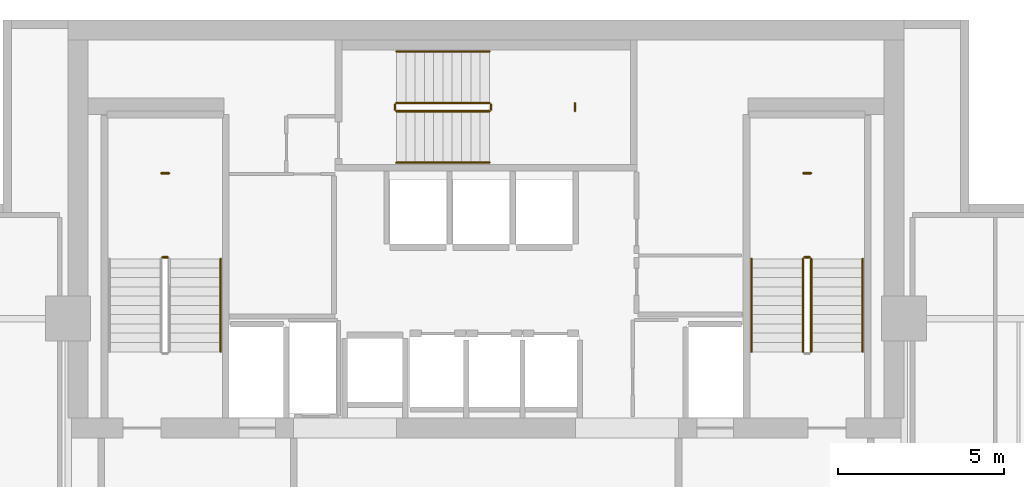
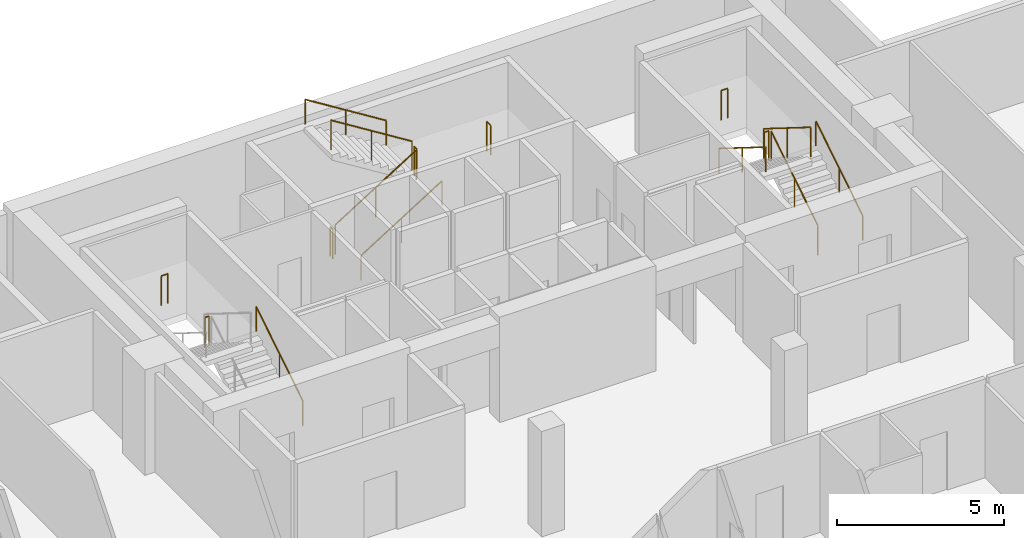
# One storey, part 24 of 24: 16 railings.
"""IFC4 building model written with IfcOpenShell, lengths in metres."""

import ifcopenshell
import ifcopenshell.guid

model = None  # the IFC model being written
_history = None  # IfcOwnerHistory: only IFC2X3 demands one
_inside = {}  # id of a spatial element -> (the spatial element, [elements in it])
_under = {}  # id of a project, library or spatial element -> (it, [spatial elements below it])
_declared = {}  # id of a project -> (the project, [libraries it declares])
_typed = {}  # id of a type object -> (the type object, [elements of that type])
_made_of = {}  # id of a material, layer set ... -> (it, [elements and type objects made of it])


def new_model(schema):
    """Start an empty IFC model of exactly this schema.

    Asked for "IFC4X3", IfcOpenShell would pick the latest addendum, in which some entities
    have other attributes; the version numbers below select the first issue.
    IFC2X3 requires an IfcOwnerHistory on every rooted entity: one is made here for all.
    """
    global model, _history
    if schema == "IFC4X3":
        model = ifcopenshell.file(schema_version=(4, 3, 0, 0))
    else:
        model = ifcopenshell.file(schema=schema)
    _inside.clear()
    _under.clear()
    _declared.clear()
    _typed.clear()
    _made_of.clear()
    _history = None
    if model.schema == "IFC2X3":
        org = make("IfcOrganization", Name="unknown")
        user = make(
            "IfcPersonAndOrganization",
            ThePerson=make("IfcPerson", FamilyName="unknown"),
            TheOrganization=org,
        )
        app = make(
            "IfcApplication",
            ApplicationDeveloper=org,
            Version="unknown",
            ApplicationFullName="unknown",
            ApplicationIdentifier="unknown",
        )
        _history = make(
            "IfcOwnerHistory",
            OwningUser=user,
            OwningApplication=app,
            ChangeAction="ADDED",
            CreationDate=0,
        )
    return model


def make(cls, **values):
    """One entity of the class cls with the attributes given. An attribute that is None is left unset."""
    return model.create_entity(
        cls, **{name: value for name, value in values.items() if value is not None}
    )


def rooted(cls, **values):
    """An entity with a GlobalId (a new one), such as an element, a storey or a relation."""
    return make(cls, GlobalId=ifcopenshell.guid.new(), OwnerHistory=_history, **values)


def si_unit(unit_type, name, prefix=None):
    """IfcSIUnit, for example si_unit("LENGTHUNIT", "METRE", prefix="MILLI")."""
    return make("IfcSIUnit", UnitType=unit_type, Prefix=prefix, Name=name)


def assignment(units):
    """IfcUnitAssignment: the units of a project."""
    return None if units is None else make("IfcUnitAssignment", Units=units)


def point(xyz):
    """IfcCartesianPoint."""
    return None if xyz is None else make("IfcCartesianPoint", Coordinates=xyz)


def direction(xyz):
    """IfcDirection."""
    return None if xyz is None else make("IfcDirection", DirectionRatios=xyz)


def frame(location, z_axis=None, x_axis=None):
    """IfcAxis2Placement3D, a coordinate frame: its origin and axes. An axis left out is left unset."""
    return make(
        "IfcAxis2Placement3D",
        Location=point(location),
        Axis=direction(z_axis),
        RefDirection=direction(x_axis),
    )


def frame_2d(location, x_axis=None):
    """IfcAxis2Placement2D, a coordinate frame in the plane: its origin and x axis."""
    return make(
        "IfcAxis2Placement2D", Location=point(location), RefDirection=direction(x_axis)
    )


def origin():
    """The frame at (0, 0, 0) with its axes left unset."""
    return frame((0.0, 0.0, 0.0))


def origin_2d():
    """The frame at (0, 0) in the plane with its x axis left unset."""
    return frame_2d((0.0, 0.0))


def place(relative_to, where):
    """IfcLocalPlacement: puts the frame where relative to a parent placement (None: the world)."""
    return make(
        "IfcLocalPlacement", PlacementRelTo=relative_to, RelativePlacement=where
    )


def context(
    kind, dimensions, precision=None, world=None, true_north=None, identifier=None
):
    """IfcGeometricRepresentationContext, for example the 3D "Model" context."""
    return make(
        "IfcGeometricRepresentationContext",
        ContextIdentifier=identifier,
        ContextType=kind,
        CoordinateSpaceDimension=dimensions,
        Precision=precision,
        WorldCoordinateSystem=world,
        TrueNorth=true_north,
    )


def subcontext(parent, identifier, kind, view, scale=None):
    """IfcGeometricRepresentationSubContext, for example "Body" below "Model"."""
    return make(
        "IfcGeometricRepresentationSubContext",
        ContextIdentifier=identifier,
        ContextType=kind,
        ParentContext=parent,
        TargetScale=scale,
        TargetView=view,
    )


def project(units=None, contexts=None):
    """IfcProject with its units and contexts."""
    return rooted(
        "IfcProject",
        Name="project",
        RepresentationContexts=contexts,
        UnitsInContext=assignment(units),
    )


def spatial(cls, under=None, at=None, **own):
    """A site, building, storey or space (cls), placed at a placement, below another one or the project."""
    s = rooted(cls, ObjectPlacement=at, **own)
    if under is not None:
        _under.setdefault(under.id(), (under, []))[1].append(s)
    return s


def profile(cls, at=None, kind="AREA", **sizes):
    """A parametric profile (cls). Its sizes go by their IFC names, for example OverallWidth=200.0."""
    return make(cls, ProfileType=kind, Position=at, **sizes)


def circle(**sizes):
    """IfcCircleProfileDef."""
    return profile("IfcCircleProfileDef", **sizes)


def extrude(swept, where, along, depth):
    """IfcExtrudedAreaSolid: the profile swept, set in the frame where, extruded along a direction by depth."""
    return make(
        "IfcExtrudedAreaSolid",
        SweptArea=swept,
        Position=where,
        ExtrudedDirection=direction(along),
        Depth=depth,
    )


def shape(context_of_items, identifier, shape_type, items):
    """IfcShapeRepresentation: the items that make up one representation, for example the "Body"."""
    return make(
        "IfcShapeRepresentation",
        ContextOfItems=context_of_items,
        RepresentationIdentifier=identifier,
        RepresentationType=shape_type,
        Items=items,
    )


def material(Name=None, Category=None):
    """IfcMaterial."""
    return make("IfcMaterial", Name=Name, Category=Category)


def made_of(thing, what):
    """Note that an element or type object is made of a material, layer set ...; save() writes the relation."""
    if what is not None:
        _made_of.setdefault(what.id(), (what, []))[1].append(thing)
    return thing


def type_object(cls, material=None, **own):
    """A type object (cls), such as IfcWallType, which elements share."""
    return made_of(rooted(cls, **own), material)


def element(
    cls,
    number,
    at=None,
    inside=None,
    cuts=None,
    type_object=None,
    material=None,
    context=None,
    identifier="Body",
    shape_type=None,
    held_by="IfcProductDefinitionShape",
    body=None,
    shapes=None,
    **own,
):
    """One element of the class cls, such as IfcWall. Its Tag is "e" and its number.

    at: its placement. inside: the storey or other place that contains it. cuts: it is an
    opening in that element (IfcRelVoidsElement). A single representation is given by context,
    identifier, shape_type and body (its items); several are given by shapes. held_by: the class
    of the entity that holds the representations. save() writes the other relations.
    """
    e = rooted(cls, Tag="e%d" % number, ObjectPlacement=at, **own)
    if body is not None:
        shapes = [shape(context, identifier, shape_type, body)]
    if shapes is not None:
        e.Representation = make(held_by, Representations=shapes)
    if inside is not None:
        _inside.setdefault(inside.id(), (inside, []))[1].append(e)
    if cuts is not None:
        rooted(
            "IfcRelVoidsElement", RelatingBuildingElement=cuts, RelatedOpeningElement=e
        )
    if type_object is not None:
        _typed.setdefault(type_object.id(), (type_object, []))[1].append(e)
    return made_of(e, material)


def aggregate(whole, parts):
    """IfcRelAggregates: a whole, such as a stair, and the parts it consists of."""
    return rooted("IfcRelAggregates", RelatingObject=whole, RelatedObjects=parts)


def save(model, path):
    """Write the relations noted so far, then the file.

    IfcRelAggregates (storeys below a building ...), IfcRelContainedInSpatialStructure (elements
    in a storey), IfcRelDefinesByType, IfcRelAssociatesMaterial and IfcRelDeclares: one each for
    every whole, place, type object, material and project.
    """
    for whole, parts in _under.values():
        aggregate(whole, parts)
    for where, things in _inside.values():
        rooted(
            "IfcRelContainedInSpatialStructure",
            RelatedElements=things,
            RelatingStructure=where,
        )
    for kind, things in _typed.values():
        rooted("IfcRelDefinesByType", RelatedObjects=things, RelatingType=kind)
    for what, things in _made_of.values():
        rooted("IfcRelAssociatesMaterial", RelatedObjects=things, RelatingMaterial=what)
    for by, libraries in _declared.values():
        rooted("IfcRelDeclares", RelatingContext=by, RelatedDefinitions=libraries)
    model.write(path)


model = new_model("IFC4")

# Units and contexts
model_context = context("Model", 3, precision=1e-05, world=origin(), true_north=direction((0.0, 1.0)))
body_context = subcontext(model_context, "Body", "Model", "MODEL_VIEW")
ifc_project = project(units=[si_unit("LENGTHUNIT", "METRE"), si_unit("AREAUNIT", "SQUARE_METRE"), si_unit("VOLUMEUNIT", "CUBIC_METRE"), si_unit("PLANEANGLEUNIT", "RADIAN"), si_unit("MASSUNIT", "GRAM", prefix="KILO")], contexts=[model_context])

# Site, building, storey
site_placement = place(None, origin())
site = spatial("IfcSite", under=ifc_project, at=site_placement, CompositionType="ELEMENT")
building_placement = place(site_placement, origin())
building = spatial("IfcBuilding", under=site, at=building_placement, Name="Maruvema Waterfront Hotel and Observation Tower", CompositionType="ELEMENT")
storey_placement = place(building_placement, frame((0.0, 0.0, 333.550048828125)))
storey = spatial("IfcBuildingStorey", under=building, at=storey_placement, Name="L82", CompositionType="ELEMENT", Elevation=333.550048828125)

# Railings
ifc_material_1 = material(Name="Brushed stainless steel Grade 316", Category="steel")
railing_type_1 = type_object("IfcRailingType", Name="Ramp Continuous Wall Handrail 920 mm", PredefinedType="HANDRAIL", material=ifc_material_1)
railing_1_placement = place(storey_placement, frame((29.800048828125, 44.0, 0.175048828125)))
element("IfcRailing", 1, at=railing_1_placement, inside=storey, type_object=railing_type_1, Name="L82 ST-01 stair handrail 1", PredefinedType="HANDRAIL", context=body_context, shape_type="SweptSolid", body=[
    extrude(circle(Radius=0.02392578125, at=origin_2d()), frame((0.0, 0.0, 0.89599609375), z_axis=(0.0, 0.848002457836, 0.529992293815), x_axis=(-1.0, 0.0, 0.0)), (0.0, 0.0, 1.0), 3.302001953125),
    extrude(circle(Radius=0.02099609375, at=origin_2d()), origin(), (0.0, 0.0, 1.0), 0.871826171875),
    extrude(circle(Radius=0.02099609375, at=origin_2d()), frame((0.0, 1.39990234375, 0.875)), (0.0, 0.0, 1.0), 0.871826171875),
    extrude(circle(Radius=0.02099609375, at=origin_2d()), frame((0.0, 2.800048828125, 1.75)), (0.0, 0.0, 1.0), 0.871826171875),
])
railing_2_placement = place(storey_placement, frame((35.10009765625, 49.699951171875, 0.175048828125)))
element("IfcRailing", 2, at=railing_2_placement, inside=storey, type_object=railing_type_1, Name="L82 ST-02 stair handrail 1", PredefinedType="HANDRAIL", context=body_context, shape_type="SweptSolid", body=[
    extrude(circle(Radius=0.02392578125, at=origin_2d()), frame((0.0, 0.0, 0.89599609375), z_axis=(0.847981687118, 0.0, 0.530025526095), x_axis=(0.0, 1.0, 0.0)), (0.0, 0.0, 1.0), 3.3017578125),
    extrude(circle(Radius=0.02099609375, at=origin_2d()), origin(), (0.0, 0.0, 1.0), 0.871826171875),
    extrude(circle(Radius=0.02099609375, at=origin_2d()), frame((1.39990234375, 0.0, 0.875)), (0.0, 0.0, 1.0), 0.871826171875),
    extrude(circle(Radius=0.02099609375, at=origin_2d()), frame((2.7998046875, 0.0, 1.75)), (0.0, 0.0, 1.0), 0.871826171875),
])
railing_3_placement = place(storey_placement, frame((37.89990234375, 53.050048828125, 2.099853515625)))
element("IfcRailing", 3, at=railing_3_placement, inside=storey, type_object=railing_type_1, Name="L82 ST-02 stair handrail 2", PredefinedType="HANDRAIL", context=body_context, shape_type="SweptSolid", body=[
    extrude(circle(Radius=0.02392578125, at=origin_2d()), frame((0.0, 0.0, 0.89599609375), z_axis=(-0.847981687118, 0.0, 0.530025526095), x_axis=(0.0, -1.0, 0.0)), (0.0, 0.0, 1.0), 3.3017578125),
    extrude(circle(Radius=0.02099609375, at=origin_2d()), origin(), (0.0, 0.0, 1.0), 0.871826171875),
    extrude(circle(Radius=0.02099609375, at=origin_2d()), frame((-1.39990234375, 0.0, 0.875)), (0.0, 0.0, 1.0), 0.871826171875),
    extrude(circle(Radius=0.02099609375, at=origin_2d()), frame((-2.7998046875, 0.0, 1.75)), (0.0, 0.0, 1.0), 0.871826171875),
])
railing_4_placement = place(storey_placement, frame((49.14990234375, 44.0, 0.175048828125)))
element("IfcRailing", 4, at=railing_4_placement, inside=storey, type_object=railing_type_1, Name="L82 ST-03 stair handrail 1", PredefinedType="HANDRAIL", context=body_context, shape_type="SweptSolid", body=[
    extrude(circle(Radius=0.02392578125, at=origin_2d()), frame((0.0, 0.0, 0.89599609375), z_axis=(0.0, 0.848002457836, 0.529992293815), x_axis=(-1.0, 0.0, 0.0)), (0.0, 0.0, 1.0), 3.302001953125),
    extrude(circle(Radius=0.02099609375, at=origin_2d()), origin(), (0.0, 0.0, 1.0), 0.871826171875),
    extrude(circle(Radius=0.02099609375, at=origin_2d()), frame((0.0, 1.39990234375, 0.875)), (0.0, 0.0, 1.0), 0.871826171875),
    extrude(circle(Radius=0.02099609375, at=origin_2d()), frame((0.0, 2.800048828125, 1.75)), (0.0, 0.0, 1.0), 0.871826171875),
])
railing_5_placement = place(storey_placement, frame((45.800048828125, 46.800048828125, 2.099853515625)))
element("IfcRailing", 5, at=railing_5_placement, inside=storey, type_object=railing_type_1, Name="L82 ST-03 stair handrail 2", PredefinedType="HANDRAIL", context=body_context, shape_type="SweptSolid", body=[
    extrude(circle(Radius=0.02392578125, at=origin_2d()), frame((0.0, 0.0, 0.89599609375), z_axis=(0.0, -0.848002457836, 0.529992293815), x_axis=(1.0, 0.0, 0.0)), (0.0, 0.0, 1.0), 3.302001953125),
    extrude(circle(Radius=0.02099609375, at=origin_2d()), origin(), (0.0, 0.0, 1.0), 0.871826171875),
    extrude(circle(Radius=0.02099609375, at=origin_2d()), frame((0.0, -1.39990234375, 0.875)), (0.0, 0.0, 1.0), 0.871826171875),
    extrude(circle(Radius=0.02099609375, at=origin_2d()), frame((0.0, -2.800048828125, 1.75)), (0.0, 0.0, 1.0), 0.871826171875),
])
ifc_material_2 = material(Name="Brushed stainless steel Grade 316", Category="steel")
railing_type_2 = type_object("IfcRailingType", Name="Ramp and Terrace Guard Balustrade 1100 mm", PredefinedType="BALUSTRADE", material=ifc_material_2)
railing_6_placement = place(storey_placement, frame((28.199951171875, 46.85009765625, 1.925048828125)))
element("IfcRailing", 6, at=railing_6_placement, inside=storey, type_object=railing_type_2, Name="L82 ST-01 stair guard 2", PredefinedType="BALUSTRADE", context=body_context, shape_type="SweptSolid", body=[
    extrude(circle(Radius=0.02392578125, at=origin_2d()), frame((0.0, 0.0, 1.076171875), z_axis=(-1.0, 0.0, 0.0), x_axis=(0.0, -1.0, 0.0)), (0.0, 0.0, 1.0), 0.14990234375),
    extrude(circle(Radius=0.02099609375, at=origin_2d()), origin(), (0.0, 0.0, 1.0), 1.052001953125),
    extrude(circle(Radius=0.02099609375, at=origin_2d()), frame((-0.14990234375, 0.0, 0.0)), (0.0, 0.0, 1.0), 1.052001953125),
])
railing_7_placement = place(storey_placement, frame((28.239990234375, 49.3798828125, 1.925048828125)))
element("IfcRailing", 7, at=railing_7_placement, inside=storey, type_object=railing_type_2, Name="L82 ST-01 Half-Landing Slot Guard", PredefinedType="BALUSTRADE", context=body_context, shape_type="SweptSolid", body=[
    extrude(circle(Radius=0.02392578125, at=origin_2d()), frame((0.0, 0.0, 1.076171875), z_axis=(-1.0, 0.0, 0.0), x_axis=(0.0, -1.0, 0.0)), (0.0, 0.0, 1.0), 0.22998046875),
    extrude(circle(Radius=0.02099609375, at=origin_2d()), origin(), (0.0, 0.0, 1.0), 1.052001953125),
    extrude(circle(Radius=0.02099609375, at=origin_2d()), frame((-0.22998046875, 0.0, 0.0)), (0.0, 0.0, 1.0), 1.052001953125),
])
railing_8_placement = place(storey_placement, frame((35.10009765625, 51.25, 0.175048828125)))
element("IfcRailing", 8, at=railing_8_placement, inside=storey, type_object=railing_type_2, Name="L82 ST-02 stair guard 1", PredefinedType="BALUSTRADE", context=body_context, shape_type="SweptSolid", body=[
    extrude(circle(Radius=0.02392578125, at=origin_2d()), frame((0.0, 0.0, 1.076171875), z_axis=(0.847981687118, 0.0, 0.530025526095), x_axis=(0.0, 1.0, 0.0)), (0.0, 0.0, 1.0), 3.3017578125),
    extrude(circle(Radius=0.02099609375, at=origin_2d()), origin(), (0.0, 0.0, 1.0), 1.052001953125),
    extrude(circle(Radius=0.02099609375, at=origin_2d()), frame((1.39990234375, 0.0, 0.875)), (0.0, 0.0, 1.0), 1.052001953125),
    extrude(circle(Radius=0.02099609375, at=origin_2d()), frame((2.7998046875, 0.0, 1.75)), (0.0, 0.0, 1.0), 1.052001953125),
])
railing_9_placement = place(storey_placement, frame((37.949951171875, 51.300048828125, 1.925048828125)))
element("IfcRailing", 9, at=railing_9_placement, inside=storey, type_object=railing_type_2, Name="L82 ST-02 stair guard 2", PredefinedType="BALUSTRADE", context=body_context, shape_type="SweptSolid", body=[
    extrude(circle(Radius=0.02392578125, at=origin_2d()), frame((0.0, 0.0, 1.076171875), z_axis=(0.0, 1.0, 0.0), x_axis=(-1.0, 0.0, 0.0)), (0.0, 0.0, 1.0), 0.14990234375),
    extrude(circle(Radius=0.02099609375, at=origin_2d()), origin(), (0.0, 0.0, 1.0), 1.052001953125),
    extrude(circle(Radius=0.02099609375, at=origin_2d()), frame((0.0, 0.14990234375, 0.0)), (0.0, 0.0, 1.0), 1.052001953125),
])
railing_10_placement = place(storey_placement, frame((37.89990234375, 51.5, 2.099853515625)))
element("IfcRailing", 10, at=railing_10_placement, inside=storey, type_object=railing_type_2, Name="L82 ST-02 stair guard 3", PredefinedType="BALUSTRADE", context=body_context, shape_type="SweptSolid", body=[
    extrude(circle(Radius=0.02392578125, at=origin_2d()), frame((0.0, 0.0, 1.076171875), z_axis=(-0.847981687118, 0.0, 0.530025526095), x_axis=(0.0, -1.0, 0.0)), (0.0, 0.0, 1.0), 3.3017578125),
    extrude(circle(Radius=0.02099609375, at=origin_2d()), origin(), (0.0, 0.0, 1.0), 1.052001953125),
    extrude(circle(Radius=0.02099609375, at=origin_2d()), frame((-1.39990234375, 0.0, 0.875)), (0.0, 0.0, 1.0), 1.052001953125),
    extrude(circle(Radius=0.02099609375, at=origin_2d()), frame((-2.7998046875, 0.0, 1.75)), (0.0, 0.0, 1.0), 1.052001953125),
])
railing_11_placement = place(storey_placement, frame((35.050048828125, 51.300048828125, 0.0)))
element("IfcRailing", 11, at=railing_11_placement, inside=storey, type_object=railing_type_2, Name="L82 ST-02 stair guard 4", PredefinedType="BALUSTRADE", context=body_context, shape_type="SweptSolid", body=[
    extrude(circle(Radius=0.02392578125, at=origin_2d()), frame((0.0, 0.0, 1.076171875), z_axis=(0.0, 1.0, 0.0), x_axis=(-1.0, 0.0, 0.0)), (0.0, 0.0, 1.0), 0.14990234375),
    extrude(circle(Radius=0.02099609375, at=origin_2d()), origin(), (0.0, 0.0, 1.0), 1.052001953125),
    extrude(circle(Radius=0.02099609375, at=origin_2d()), frame((0.0, 0.14990234375, 0.0)), (0.0, 0.0, 1.0), 1.052001953125),
])
railing_12_placement = place(storey_placement, frame((40.47998046875, 51.260009765625, 1.925048828125)))
element("IfcRailing", 12, at=railing_12_placement, inside=storey, type_object=railing_type_2, Name="L82 ST-02 Half-Landing Slot Guard", PredefinedType="BALUSTRADE", context=body_context, shape_type="SweptSolid", body=[
    extrude(circle(Radius=0.02392578125, at=origin_2d()), frame((0.0, 0.0, 1.076171875), z_axis=(0.0, 1.0, 0.0), x_axis=(-1.0, 0.0, 0.0)), (0.0, 0.0, 1.0), 0.22998046875),
    extrude(circle(Radius=0.02099609375, at=origin_2d()), origin(), (0.0, 0.0, 1.0), 1.052001953125),
    extrude(circle(Radius=0.02099609375, at=origin_2d()), frame((0.0, 0.22998046875, 0.0)), (0.0, 0.0, 1.0), 1.052001953125),
])
railing_13_placement = place(storey_placement, frame((47.60009765625, 44.0, 0.175048828125)))
element("IfcRailing", 13, at=railing_13_placement, inside=storey, type_object=railing_type_2, Name="L82 ST-03 stair guard 1", PredefinedType="BALUSTRADE", context=body_context, shape_type="SweptSolid", body=[
    extrude(circle(Radius=0.02392578125, at=origin_2d()), frame((0.0, 0.0, 1.076171875), z_axis=(0.0, 0.848002457836, 0.529992293815), x_axis=(-1.0, 0.0, 0.0)), (0.0, 0.0, 1.0), 3.302001953125),
    extrude(circle(Radius=0.02099609375, at=origin_2d()), origin(), (0.0, 0.0, 1.0), 1.052001953125),
    extrude(circle(Radius=0.02099609375, at=origin_2d()), frame((0.0, 1.39990234375, 0.875)), (0.0, 0.0, 1.0), 1.052001953125),
    extrude(circle(Radius=0.02099609375, at=origin_2d()), frame((0.0, 2.800048828125, 1.75)), (0.0, 0.0, 1.0), 1.052001953125),
])
railing_14_placement = place(storey_placement, frame((47.550048828125, 46.85009765625, 1.925048828125)))
element("IfcRailing", 14, at=railing_14_placement, inside=storey, type_object=railing_type_2, Name="L82 ST-03 stair guard 2", PredefinedType="BALUSTRADE", context=body_context, shape_type="SweptSolid", body=[
    extrude(circle(Radius=0.02392578125, at=origin_2d()), frame((0.0, 0.0, 1.076171875), z_axis=(-1.0, 0.0, 0.0), x_axis=(0.0, -1.0, 0.0)), (0.0, 0.0, 1.0), 0.150146484375),
    extrude(circle(Radius=0.02099609375, at=origin_2d()), origin(), (0.0, 0.0, 1.0), 1.052001953125),
    extrude(circle(Radius=0.02099609375, at=origin_2d()), frame((-0.150146484375, 0.0, 0.0)), (0.0, 0.0, 1.0), 1.052001953125),
])
railing_15_placement = place(storey_placement, frame((47.35009765625, 46.800048828125, 2.099853515625)))
element("IfcRailing", 15, at=railing_15_placement, inside=storey, type_object=railing_type_2, Name="L82 ST-03 stair guard 3", PredefinedType="BALUSTRADE", context=body_context, shape_type="SweptSolid", body=[
    extrude(circle(Radius=0.02392578125, at=origin_2d()), frame((0.0, 0.0, 1.076171875), z_axis=(0.0, -0.848002457836, 0.529992293815), x_axis=(1.0, 0.0, 0.0)), (0.0, 0.0, 1.0), 3.302001953125),
    extrude(circle(Radius=0.02099609375, at=origin_2d()), origin(), (0.0, 0.0, 1.0), 1.052001953125),
    extrude(circle(Radius=0.02099609375, at=origin_2d()), frame((0.0, -1.39990234375, 0.875)), (0.0, 0.0, 1.0), 1.052001953125),
    extrude(circle(Radius=0.02099609375, at=origin_2d()), frame((0.0, -2.800048828125, 1.75)), (0.0, 0.0, 1.0), 1.052001953125),
])
railing_16_placement = place(storey_placement, frame((47.590087890625, 49.3798828125, 1.925048828125)))
element("IfcRailing", 16, at=railing_16_placement, inside=storey, type_object=railing_type_2, Name="L82 ST-03 Half-Landing Slot Guard", PredefinedType="BALUSTRADE", context=body_context, shape_type="SweptSolid", body=[
    extrude(circle(Radius=0.02392578125, at=origin_2d()), frame((0.0, 0.0, 1.076171875), z_axis=(-1.0, 0.0, 0.0), x_axis=(0.0, -1.0, 0.0)), (0.0, 0.0, 1.0), 0.22998046875),
    extrude(circle(Radius=0.02099609375, at=origin_2d()), origin(), (0.0, 0.0, 1.0), 1.052001953125),
    extrude(circle(Radius=0.02099609375, at=origin_2d()), frame((-0.22998046875, 0.0, 0.0)), (0.0, 0.0, 1.0), 1.052001953125),
])

save(model, "model.ifc")
